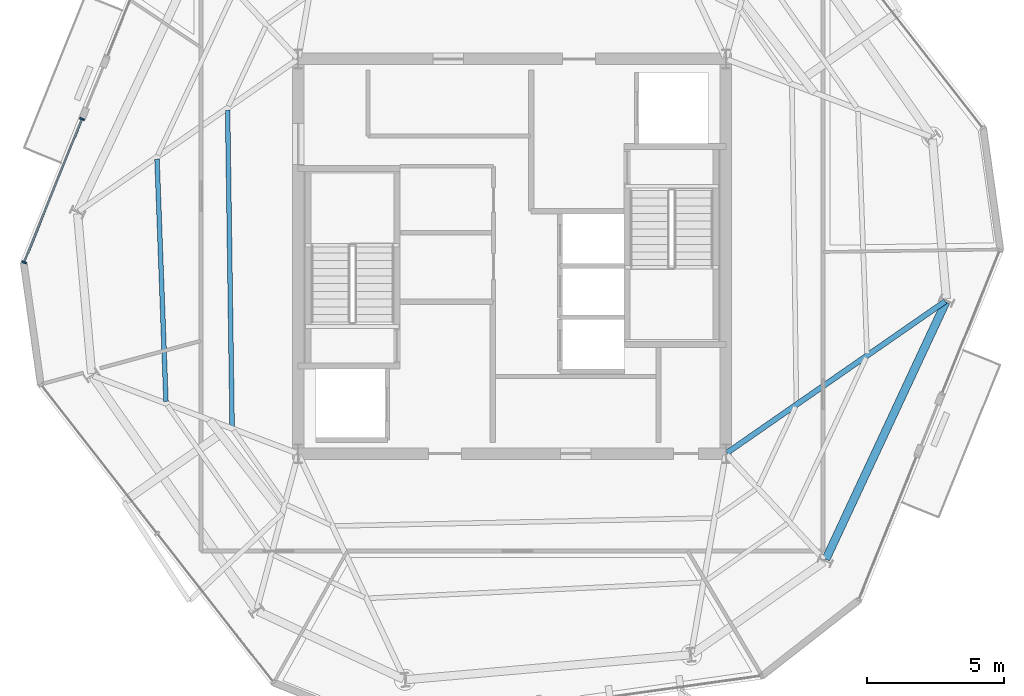
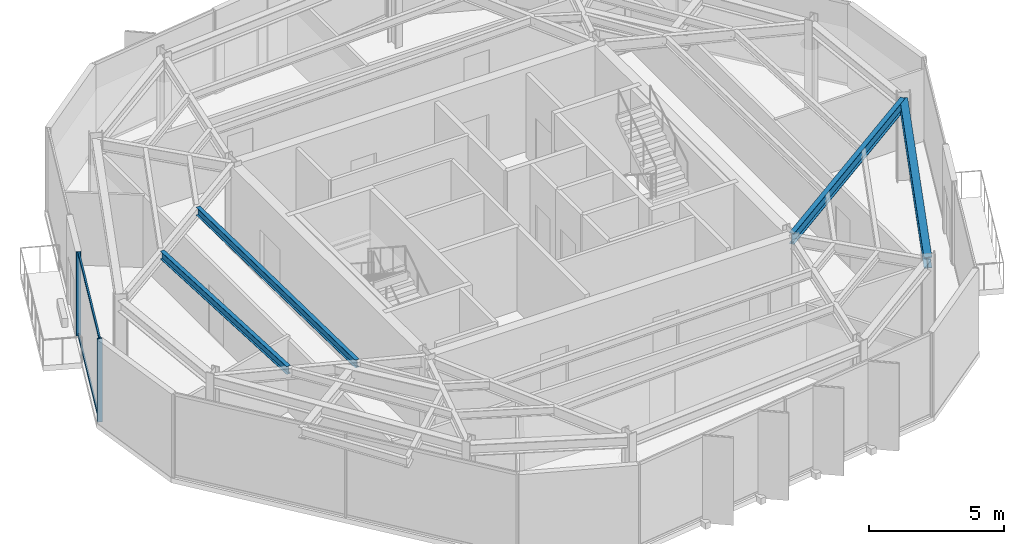
# One storey, part 3 of 11: 4 beams, 4 members, 1 element without a shape of its own.
"""IFC4 building model written with IfcOpenShell, lengths in metres."""

from ifc_helpers import new_model, si_unit, direction, frame, origin, origin_2d, place, context, subcontext, project, spatial, rectangle, i_section, extrude, material, layer, layer_set, material_profile, profile_set, type_object, element, aggregate, save


model = new_model("IFC4")

# Units and contexts
model_context = context("Model", 3, precision=1e-05, world=origin(), true_north=direction((0.0, 1.0)))
body_context = subcontext(model_context, "Body", "Model", "MODEL_VIEW")
ifc_project = project(units=[si_unit("LENGTHUNIT", "METRE"), si_unit("AREAUNIT", "SQUARE_METRE"), si_unit("VOLUMEUNIT", "CUBIC_METRE"), si_unit("PLANEANGLEUNIT", "RADIAN"), si_unit("MASSUNIT", "GRAM", prefix="KILO")], contexts=[model_context])

# Site, building, storey
site_placement = place(None, origin())
site = spatial("IfcSite", under=ifc_project, at=site_placement, CompositionType="ELEMENT")
building_placement = place(site_placement, origin())
building = spatial("IfcBuilding", under=site, at=building_placement, Name="Kranzbogen Civic Tower", CompositionType="ELEMENT")
storey_placement = place(building_placement, frame((0.0, 0.0, 298.199951171875)))
storey = spatial("IfcBuildingStorey", under=building, at=storey_placement, Name="L72", CompositionType="ELEMENT", Elevation=298.199951171875)

# Curtain wall, members
ifc_material_1 = material(Name="Pale Anodised Aluminium", Category="aluminium")
ifc_layer = layer(ifc_material_1, 0.219970703125, Name="Pale Anodised Aluminium")
ifc_layer_set = layer_set([ifc_layer], Name="Pale Anodised Aluminium")
curtain_wall_type = type_object("IfcCurtainWallType", Name="Zone 4 Stick Curtain Wall System CW-05", PredefinedType="USERDEFINED", material=ifc_layer_set)
curtain_wall_placement = place(storey_placement, origin())
curtain_wall = element("IfcCurtainWall", 1, at=curtain_wall_placement, inside=storey, type_object=curtain_wall_type, Name="L72 curtain wall CW-L72-F2-S2", ObjectType="STICK CURTAIN WALL", PredefinedType="USERDEFINED")
ifc_material_profile_1 = material_profile(ifc_material_1, rectangle(XDim=0.06494140625, YDim=0.179931640625, at=origin_2d()), Name="ALU-M 65x180")
ifc_profile_set_1 = profile_set([ifc_material_profile_1], Name="Pale Anodised Aluminium")
member_type_1 = type_object("IfcMemberType", Name="Curtain Wall Mullion ALU-M 65x180", PredefinedType="MULLION", material=ifc_profile_set_1)
member_1_placement = place(storey_placement, frame((9.313720703125, 30.01123046875, 0.0), z_axis=(0.0, 0.0, 1.0), x_axis=(-0.374532628217, -0.927213735015, 0.0)))
member_1 = element("IfcMember", 2, at=member_1_placement, type_object=member_type_1, Name="CW-05 mullion 1", PredefinedType="MULLION", context=body_context, shape_type="SweptSolid", body=[
    extrude(rectangle(XDim=0.06494140625, YDim=0.179931640625, at=origin_2d()), origin(), (0.0, 0.0, 1.0), 3.780029296875),
])
member_2_placement = place(storey_placement, frame((7.2001953125, 24.77880859375, 0.0), z_axis=(0.0, 0.0, 1.0), x_axis=(-0.374532628217, -0.927213735015, 0.0)))
member_2 = element("IfcMember", 3, at=member_2_placement, type_object=member_type_1, Name="CW-05 mullion 2", PredefinedType="MULLION", context=body_context, shape_type="SweptSolid", body=[
    extrude(rectangle(XDim=0.06494140625, YDim=0.179931640625, at=origin_2d()), origin(), (0.0, 0.0, 1.0), 3.780029296875),
])
ifc_material_profile_2 = material_profile(ifc_material_1, rectangle(XDim=0.06494140625, YDim=0.135009765625, at=origin_2d()), Name="ALU-T 65x135")
ifc_profile_set_2 = profile_set([ifc_material_profile_2], Name="Pale Anodised Aluminium")
member_type_2 = type_object("IfcMemberType", Name="Curtain Wall Transom ALU-T 65x135", PredefinedType="USERDEFINED", material=ifc_profile_set_2)
member_3_placement = place(storey_placement, frame((9.302490234375, 29.9833984375, 0.030029296875), z_axis=(-0.374532457589, -0.927213803937, 0.0), x_axis=(0.927213803937, -0.374532457589, 0.0)))
member_3 = element("IfcMember", 4, at=member_3_placement, type_object=member_type_2, Name="CW-05 transom 1.1", ObjectType="TRANSOM", PredefinedType="USERDEFINED", context=body_context, shape_type="SweptSolid", body=[
    extrude(rectangle(XDim=0.06494140625, YDim=0.135009765625, at=origin_2d()), origin(), (0.0, 0.0, 1.0), 5.583251953125),
])
member_4_placement = place(storey_placement, frame((9.302490234375, 29.9833984375, 3.75), z_axis=(-0.374532457589, -0.927213803937, 0.0), x_axis=(0.927213803937, -0.374532457589, 0.0)))
member_4 = element("IfcMember", 5, at=member_4_placement, type_object=member_type_2, Name="CW-05 transom 1.2", ObjectType="TRANSOM", PredefinedType="USERDEFINED", context=body_context, shape_type="SweptSolid", body=[
    extrude(rectangle(XDim=0.06494140625, YDim=0.135009765625, at=origin_2d()), origin(), (0.0, 0.0, 1.0), 5.583251953125),
])
aggregate(curtain_wall, [member_1, member_2, member_3, member_4])

# Beams
ifc_material_2 = material(Name="Steel S355", Category="steel")
ifc_material_profile_3 = material_profile(ifc_material_2, i_section(OverallWidth=0.300048828125, OverallDepth=0.5, WebThickness=0.014404296875, FlangeThickness=0.028076171875, at=origin_2d()), Name="HEB 500")
ifc_profile_set_3 = profile_set([ifc_material_profile_3], Name="Steel S355")
beam_type_1 = type_object("IfcBeamType", Name="Perimeter Tube Spandrel Beam HEB 500", PredefinedType="SPANDREL", material=ifc_profile_set_3)
beam_1_placement = place(storey_placement, frame((36.449951171875, 13.944091796875, 3.530029296875), z_axis=(0.422668780888, 0.906284227857, 0.0), x_axis=(-0.906284227857, 0.422668780888, 0.0)))
element("IfcBeam", 6, at=beam_1_placement, inside=storey, type_object=beam_type_1, Name="L72 perimeter spandrel beam 05", PredefinedType="SPANDREL", context=body_context, shape_type="SweptSolid", body=[
    extrude(i_section(OverallWidth=0.300048828125, OverallDepth=0.5, WebThickness=0.014404296875, FlangeThickness=0.028076171875, at=origin_2d()), origin(), (0.0, 0.0, 1.0), 10.363037109375),
])
ifc_material_profile_4 = material_profile(ifc_material_2, i_section(OverallWidth=0.199951171875, OverallDepth=0.5, WebThickness=0.01025390625, FlangeThickness=0.01611328125, at=origin_2d()), Name="IPE 500")
ifc_profile_set_4 = profile_set([ifc_material_profile_4], Name="Steel S355")
beam_type_2 = type_object("IfcBeamType", Name="Radial Tower Floor Girder IPE 500", PredefinedType="BEAM", material=ifc_profile_set_4)
beam_2_placement = place(storey_placement, frame((40.805908203125, 23.35595703125, 3.530029296875), z_axis=(-0.821542812331, -0.570146829779, 0.0), x_axis=(0.570146829779, -0.821542812331, 0.0)))
element("IfcBeam", 7, at=beam_2_placement, inside=storey, type_object=beam_type_2, Name="L72 radial floor girder 06", PredefinedType="BEAM", context=body_context, shape_type="SweptSolid", body=[
    extrude(i_section(OverallWidth=0.199951171875, OverallDepth=0.5, WebThickness=0.01025390625, FlangeThickness=0.01611328125, at=origin_2d()), origin(), (0.0, 0.0, 1.0), 9.68505859375),
])
ifc_material_profile_5 = material_profile(ifc_material_2, i_section(OverallWidth=0.169921875, OverallDepth=0.360107421875, WebThickness=0.008056640625, FlangeThickness=0.0126953125, at=origin_2d()), Name="IPE 360")
ifc_profile_set_5 = profile_set([ifc_material_profile_5], Name="Steel S355")
beam_type_3 = type_object("IfcBeamType", Name="Secondary Composite Floor Joist IPE 360", PredefinedType="JOIST", material=ifc_profile_set_5)
beam_3_placement = place(storey_placement, frame((12.048095703125, 28.5419921875, 3.60009765625), z_axis=(0.036992246074, -0.999315552631, 0.0), x_axis=(0.999315552631, 0.036992246074, 0.0)))
element("IfcBeam", 8, at=beam_3_placement, inside=storey, type_object=beam_type_3, Name="L72 secondary floor joist 1.12", PredefinedType="JOIST", context=body_context, shape_type="SweptSolid", body=[
    extrude(i_section(OverallWidth=0.169921875, OverallDepth=0.360107421875, WebThickness=0.008056640625, FlangeThickness=0.0126953125, at=origin_2d()), origin(), (0.0, 0.0, 1.0), 8.837158203125),
])
beam_4_placement = place(storey_placement, frame((14.6240234375, 30.3310546875, 3.60009765625), z_axis=(0.014221385906, -0.999898870978, 0.0), x_axis=(0.999898870978, 0.014221385906, 0.0)))
element("IfcBeam", 9, at=beam_4_placement, inside=storey, type_object=beam_type_3, Name="L72 secondary floor joist 2.12", PredefinedType="JOIST", context=body_context, shape_type="SweptSolid", body=[
    extrude(i_section(OverallWidth=0.169921875, OverallDepth=0.360107421875, WebThickness=0.008056640625, FlangeThickness=0.0126953125, at=origin_2d()), origin(), (0.0, 0.0, 1.0), 11.536376953125),
])

save(model, "model.ifc")
